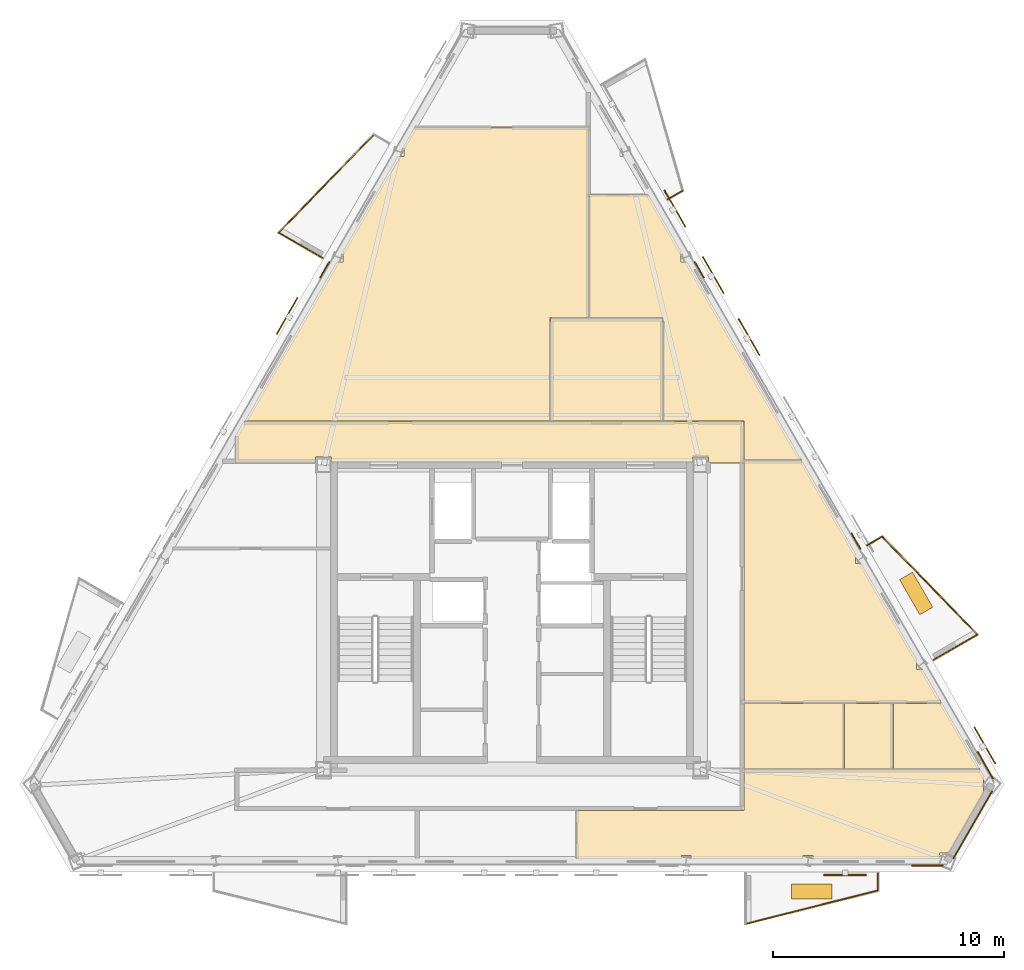
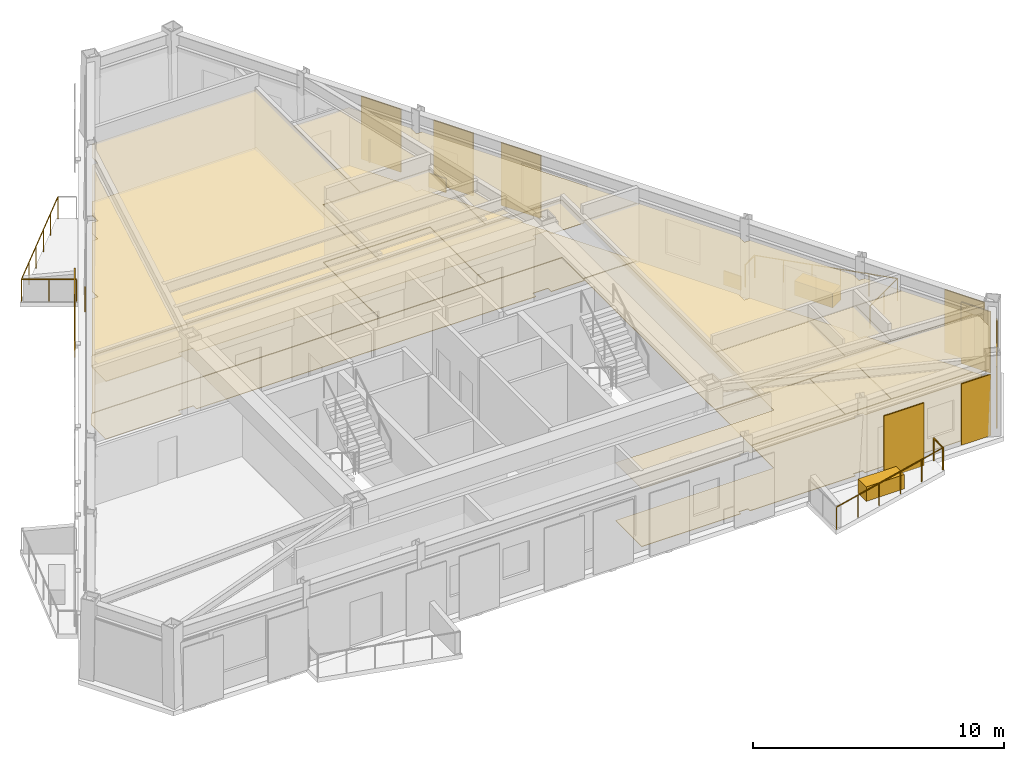
# One storey, part 8 of 9: 26 coverings, 8 railings, 6 shading devices.
"""IFC4 building model written with IfcOpenShell, lengths in metres."""

from ifc_helpers import new_model, si_unit, direction, frame, origin, origin_2d, place, context, subcontext, project, spatial, polyline, rectangle, circle, outline, extrude, material, layer, layer_set, type_object, element, save


model = new_model("IFC4")

# Units and contexts
model_context = context("Model", 3, precision=1e-05, world=origin(), true_north=direction((0.0, 1.0)))
body_context = subcontext(model_context, "Body", "Model", "MODEL_VIEW")
ifc_project = project(units=[si_unit("LENGTHUNIT", "METRE"), si_unit("AREAUNIT", "SQUARE_METRE"), si_unit("VOLUMEUNIT", "CUBIC_METRE"), si_unit("PLANEANGLEUNIT", "RADIAN"), si_unit("MASSUNIT", "GRAM", prefix="KILO")], contexts=[model_context])

# Site, building, storey
site_placement = place(None, origin())
site = spatial("IfcSite", under=ifc_project, at=site_placement, CompositionType="ELEMENT")
building_placement = place(site_placement, origin())
building = spatial("IfcBuilding", under=site, at=building_placement, Name="Oramaril Tower", CompositionType="ELEMENT")
storey_placement = place(building_placement, frame((0.0, 0.0, 301.199951171875)))
storey = spatial("IfcBuildingStorey", under=building, at=storey_placement, Name="L79", CompositionType="ELEMENT", Elevation=301.199951171875)

# Coverings
ifc_material_1 = material(Name="Mineral Fibre Acoustic Ceiling")
ifc_layer_1 = layer(ifc_material_1, 0.02001953125)
ifc_layer_set_1 = layer_set([ifc_layer_1], Name="CVT-CEIL")
covering_type_1 = type_object("IfcCoveringType", Name="CVT-CEIL", PredefinedType="CEILING", material=ifc_layer_set_1)
covering_1_placement = place(storey_placement, frame((0.0, 0.0, 2.81201171875)))
element("IfcCovering", 1, at=covering_1_placement, inside=storey, type_object=covering_type_1, Name="L79 Acoustic Suspended Ceiling 2", PredefinedType="CEILING", context=body_context, shape_type="SweptSolid", body=[
    extrude(outline(polyline([(45.9951171875, 24.239990234375), (45.9951171875, 24.4951171875), (45.304931640625, 24.4951171875), (45.304931640625, 24.25), (29.695068359375, 24.25), (29.695068359375, 24.4951171875), (29.0048828125, 24.4951171875), (29.0048828125, 24.239990234375), (25.52001953125, 24.239990234375), (25.52001953125, 25.41455078125), (25.886962890625, 26.050048828125), (47.530029296875, 26.050048828125), (47.530029296875, 24.239990234375), (45.9951171875, 24.239990234375)])), origin(), (0.0, 0.0, 1.0), 0.02001953125),
])
covering_2_placement = place(storey_placement, frame((0.0, 0.0, 2.81201171875)))
element("IfcCovering", 2, at=covering_2_placement, inside=storey, type_object=covering_type_1, Name="L79 Acoustic Suspended Ceiling 4", PredefinedType="CEILING", context=body_context, shape_type="SweptSolid", body=[
    extrude(outline(polyline([(44.0419921875, 30.511962890625), (44.0419921875, 26.070068359375), (39.157958984375, 26.070068359375), (39.157958984375, 30.511962890625), (44.0419921875, 30.511962890625)])), origin(), (0.0, 0.0, 1.0), 0.02001953125),
])
covering_3_placement = place(storey_placement, frame((0.0, 0.0, 2.81201171875)))
element("IfcCovering", 3, at=covering_3_placement, inside=storey, type_object=covering_type_1, Name="L79 Acoustic Suspended Ceiling 5", PredefinedType="CEILING", context=body_context, shape_type="SweptSolid", body=[
    extrude(outline(polyline([(57.762939453125, 10.991943359375), (57.951904296875, 10.664794921875), (57.903564453125, 10.664794921875), (57.903564453125, 9.978271484375), (57.9248046875, 9.978271484375), (56.421142578125, 7.373779296875), (56.0087890625, 7.373779296875), (56.0087890625, 7.105712890625), (50.524658203125, 7.105712890625), (50.524658203125, 7.26025390625), (50.09716796875, 7.26025390625), (50.09716796875, 7.105712890625), (45.24658203125, 7.105712890625), (45.24658203125, 7.26025390625), (44.824951171875, 7.26025390625), (44.824951171875, 7.105712890625), (40.270751953125, 7.105712890625), (40.270751953125, 9.199951171875), (47.530029296875, 9.199951171875), (47.531982421875, 9.2001953125), (47.533935546875, 9.200439453125), (47.535888671875, 9.200927734375), (47.53759765625, 9.201416015625), (47.539306640625, 9.202392578125), (47.541015625, 9.203369140625), (47.542724609375, 9.20458984375), (47.544189453125, 9.205810546875), (47.54541015625, 9.207275390625), (47.546630859375, 9.208984375), (47.547607421875, 9.210693359375), (47.548583984375, 9.21240234375), (47.549072265625, 9.214111328125), (47.549560546875, 9.216064453125), (47.5498046875, 9.218017578125), (47.550048828125, 9.219970703125), (47.550048828125, 10.991943359375), (57.762939453125, 10.991943359375)])), origin(), (0.0, 0.0, 1.0), 0.02001953125),
])
covering_4_placement = place(storey_placement, frame((0.0, 0.0, 2.81201171875)))
element("IfcCovering", 4, at=covering_4_placement, inside=storey, type_object=covering_type_1, Name="L79 Acoustic Suspended Ceiling 9", PredefinedType="CEILING", context=body_context, shape_type="SweptSolid", body=[
    extrude(outline(polyline([(52.362060546875, 20.335205078125), (52.362060546875, 19.88671875), (52.627685546875, 19.88671875), (55.004638671875, 15.769287109375), (55.0009765625, 15.769287109375), (55.0009765625, 15.31591796875), (55.2666015625, 15.31591796875), (56.1083984375, 13.85791015625), (47.550048828125, 13.85791015625), (47.550048828125, 24.219970703125), (47.5498046875, 24.221923828125), (47.549560546875, 24.223876953125), (47.549072265625, 24.225830078125), (47.548583984375, 24.227783203125), (47.547607421875, 24.2294921875), (47.54736328125, 24.22998046875), (47.547607421875, 24.230712890625), (47.548583984375, 24.232421875), (47.549072265625, 24.234130859375), (47.549560546875, 24.236083984375), (47.5498046875, 24.238037109375), (47.550048828125, 24.239990234375), (47.550048828125, 24.362060546875), (50.043701171875, 24.362060546875), (52.36865234375, 20.335205078125), (52.362060546875, 20.335205078125)])), origin(), (0.0, 0.0, 1.0), 0.02001953125),
])
covering_5_placement = place(storey_placement, frame((0.0, 0.0, 2.81201171875)))
element("IfcCovering", 5, at=covering_5_placement, inside=storey, type_object=covering_type_1, Name="L79 Acoustic Suspended Ceiling 10", PredefinedType="CEILING", context=body_context, shape_type="SweptSolid", body=[
    extrude(outline(polyline([(51.87158203125, 11.011962890625), (47.550048828125, 11.011962890625), (47.550048828125, 11.030029296875), (47.5498046875, 11.031982421875), (47.549560546875, 11.033935546875), (47.549072265625, 11.035888671875), (47.548583984375, 11.03759765625), (47.547607421875, 11.039306640625), (47.54736328125, 11.0400390625), (47.547607421875, 11.04052734375), (47.548583984375, 11.042236328125), (47.549072265625, 11.044189453125), (47.549560546875, 11.046142578125), (47.5498046875, 11.048095703125), (47.550048828125, 11.050048828125), (47.550048828125, 13.837890625), (51.87158203125, 13.837890625), (51.87158203125, 11.011962890625)])), origin(), (0.0, 0.0, 1.0), 0.02001953125),
])
covering_6_placement = place(storey_placement, frame((0.0, 0.0, 2.81201171875)))
element("IfcCovering", 6, at=covering_6_placement, inside=storey, type_object=covering_type_1, Name="L79 Acoustic Suspended Ceiling 11", PredefinedType="CEILING", context=body_context, shape_type="SweptSolid", body=[
    extrude(outline(polyline([(53.9833984375, 11.011962890625), (51.8916015625, 11.011962890625), (51.8916015625, 13.837890625), (53.9833984375, 13.837890625), (53.9833984375, 11.011962890625)])), origin(), (0.0, 0.0, 1.0), 0.02001953125),
])
covering_7_placement = place(storey_placement, frame((0.0, 0.0, 2.81201171875)))
element("IfcCovering", 7, at=covering_7_placement, inside=storey, type_object=covering_type_1, Name="L79 Acoustic Suspended Ceiling 12", PredefinedType="CEILING", context=body_context, shape_type="SweptSolid", body=[
    extrude(outline(polyline([(57.75146484375, 11.011962890625), (54.00341796875, 11.011962890625), (54.00341796875, 13.837890625), (56.1083984375, 13.837890625), (56.1103515625, 13.838134765625), (56.1123046875, 13.83837890625), (56.1142578125, 13.8388671875), (56.115966796875, 13.839599609375), (56.117919921875, 13.84033203125), (56.118408203125, 13.8408203125), (57.75146484375, 11.011962890625)])), origin(), (0.0, 0.0, 1.0), 0.02001953125),
])
covering_8_placement = place(storey_placement, frame((0.0, 0.0, 2.81201171875)))
element("IfcCovering", 8, at=covering_8_placement, inside=storey, type_object=covering_type_1, Name="L79 Acoustic Suspended Ceiling 13", PredefinedType="CEILING", context=body_context, shape_type="SweptSolid", body=[
    extrude(outline(polyline([(29.91259765625, 32.94677734375), (30.17822265625, 32.94677734375), (30.17822265625, 33.380126953125), (30.162841796875, 33.380126953125), (32.551513671875, 37.517578125), (32.817138671875, 37.517578125), (32.817138671875, 37.94580078125), (32.798828125, 37.94580078125), (33.28173828125, 38.7822265625), (40.842041015625, 38.7822265625), (40.842041015625, 30.531982421875), (39.157958984375, 30.531982421875), (39.156005859375, 30.531982421875), (39.154052734375, 30.531494140625), (39.152099609375, 30.531005859375), (39.150390625, 30.530517578125), (39.148681640625, 30.529541015625), (39.14697265625, 30.528564453125), (39.145263671875, 30.527587890625), (39.143798828125, 30.526123046875), (39.142578125, 30.524658203125), (39.141357421875, 30.523193359375), (39.140380859375, 30.521484375), (39.139404296875, 30.519775390625), (39.138916015625, 30.517822265625), (39.138427734375, 30.515869140625), (39.13818359375, 30.513916015625), (39.137939453125, 30.511962890625), (39.137939453125, 26.070068359375), (25.9423828125, 26.070068359375), (29.91259765625, 32.94677734375)])), origin(), (0.0, 0.0, 1.0), 0.02001953125),
])
covering_9_placement = place(storey_placement, frame((0.0, 0.0, 2.81201171875)))
element("IfcCovering", 9, at=covering_9_placement, inside=storey, type_object=covering_type_1, Name="L79 Acoustic Suspended Ceiling 15", PredefinedType="CEILING", context=body_context, shape_type="SweptSolid", body=[
    extrude(outline(polyline([(43.40576171875, 35.859375), (44.837158203125, 33.380126953125), (44.82177734375, 33.380126953125), (44.82177734375, 32.94677734375), (45.08740234375, 32.94677734375), (50.0322265625, 24.382080078125), (47.550048828125, 24.382080078125), (47.550048828125, 26.050048828125), (47.5498046875, 26.052001953125), (47.549560546875, 26.053955078125), (47.549072265625, 26.055908203125), (47.548583984375, 26.0576171875), (47.547607421875, 26.059326171875), (47.546630859375, 26.06103515625), (47.54541015625, 26.062744140625), (47.544189453125, 26.064208984375), (47.542724609375, 26.0654296875), (47.541015625, 26.066650390625), (47.539306640625, 26.067626953125), (47.53759765625, 26.068603515625), (47.535888671875, 26.069091796875), (47.533935546875, 26.069580078125), (47.531982421875, 26.06982421875), (47.530029296875, 26.070068359375), (44.06201171875, 26.070068359375), (44.06201171875, 30.511962890625), (44.06201171875, 30.513916015625), (44.0615234375, 30.515869140625), (44.06103515625, 30.517822265625), (44.060546875, 30.519775390625), (44.0595703125, 30.521484375), (44.05859375, 30.523193359375), (44.0576171875, 30.524658203125), (44.05615234375, 30.526123046875), (44.0546875, 30.527587890625), (44.052978515625, 30.528564453125), (44.051513671875, 30.529541015625), (44.0498046875, 30.530517578125), (44.0478515625, 30.531005859375), (44.0458984375, 30.531494140625), (44.0439453125, 30.531982421875), (44.0419921875, 30.531982421875), (40.862060546875, 30.531982421875), (40.862060546875, 35.859375), (43.40576171875, 35.859375)])), origin(), (0.0, 0.0, 1.0), 0.02001953125),
])
ifc_material_2 = material(Name="Warm Cream Limestone", Category="masonry")
ifc_layer_2 = layer(ifc_material_2, 0.050048828125)
ifc_layer_set_2 = layer_set([ifc_layer_2], Name="CVT-CLD")
covering_type_2 = type_object("IfcCoveringType", Name="CVT-CLD", PredefinedType="CLADDING", material=ifc_layer_set_2)
covering_10_placement = place(storey_placement, frame((55.478759765625, 6.82958984375, 0.0400390625), z_axis=(0.0, 0.0, 1.0), x_axis=(1.0, 0.0, 0.0)))
element("IfcCovering", 10, at=covering_10_placement, inside=storey, type_object=covering_type_2, Name="L79 Warm Cream Limestone Cladding", PredefinedType="CLADDING", context=body_context, shape_type="SweptSolid", body=[
    extrude(rectangle(XDim=1.35009765625, YDim=0.050048828125, at=origin_2d()), origin(), (0.0, 0.0, 1.0), 2.97802734375),
])
covering_11_placement = place(storey_placement, frame((57.4404296875, 8.58740234375, 0.0400390625), z_axis=(0.0, 0.0, 1.0), x_axis=(0.4999984885, 0.866026276448, 0.0)))
element("IfcCovering", 11, at=covering_11_placement, inside=storey, type_object=covering_type_2, Name="L79 Warm Cream Limestone Cladding", PredefinedType="CLADDING", context=body_context, shape_type="SweptSolid", body=[
    extrude(rectangle(XDim=3.364990234375, YDim=0.050048828125, at=origin_2d()), origin(), (0.0, 0.0, 1.0), 2.97802734375),
])
covering_12_placement = place(storey_placement, frame((57.981689453125, 11.1650390625, 0.0400390625), z_axis=(0.0, 0.0, 1.0), x_axis=(-0.500001511499, 0.866024531118, 0.0)))
element("IfcCovering", 12, at=covering_12_placement, inside=storey, type_object=covering_type_2, Name="L79 Warm Cream Limestone Cladding", PredefinedType="CLADDING", context=body_context, shape_type="SweptSolid", body=[
    extrude(rectangle(XDim=1.35009765625, YDim=0.050048828125, at=origin_2d()), origin(), (0.0, 0.0, 1.0), 2.97802734375),
])
for number, where, z_axis, x_axis, name in (
    (13, (52.381591796875, 20.864990234375, 0.0400390625), (0.0, 0.0, 1.0), (-0.500001511499, 0.866024531118, 0.0), "L79 Warm Cream Limestone Spandrel Cladding"),
    (14, (45.60302734375, 32.60546875, 0.0400390625), (0.0, 0.0, 1.0), (-0.500001511499, 0.866024531118, 0.0), "L79 Warm Cream Limestone Spandrel Cladding"),
    (15, (29.39697265625, 32.60546875, 0.0400390625), (0.0, 0.0, 1.0), (-0.500001511499, -0.866024531118, 0.0), "L79 Warm Cream Limestone Spandrel Cladding"),
):
    element("IfcCovering", number, at=place(storey_placement, frame(where, z_axis=z_axis, x_axis=x_axis)), inside=storey, type_object=covering_type_2, Name=name, PredefinedType="CLADDING", context=body_context, shape_type="SweptSolid", body=[
        extrude(rectangle(XDim=0.800048828125, YDim=0.050048828125, at=origin_2d()), origin(), (0.0, 0.0, 1.0), 0.679931640625),
    ])
for number, where, z_axis, x_axis, name in (
    (16, (50.469482421875, 5.701171875, 0.0), (0.0, 0.0, 1.0), (1.0, 0.0, 0.0), "L79 Structural Tree Planter Box L79-BAL-S2"),
    (17, (54.991943359375, 18.6005859375, 0.0), (0.0, 0.0, 1.0), (-0.500001511499, 0.866024531118, 0.0), "L79 Structural Tree Planter Box L79-BAL-NE1"),
):
    element("IfcCovering", number, at=place(storey_placement, frame(where, z_axis=z_axis, x_axis=x_axis)), inside=storey, type_object=covering_type_2, Name=name, PredefinedType="CLADDING", context=body_context, shape_type="SweptSolid", body=[
        extrude(rectangle(XDim=1.75, YDim=0.64990234375, at=origin_2d()), origin(), (0.0, 0.0, 1.0), 0.699951171875),
    ])
ifc_material_3 = material(Name="Honed Quartzite Stone Flooring", Category="masonry")
ifc_layer_3 = layer(ifc_material_3, 0.02490234375)
ifc_layer_set_3 = layer_set([ifc_layer_3], Name="CVT-FLR")
covering_type_3 = type_object("IfcCoveringType", Name="CVT-FLR", PredefinedType="FLOORING", material=ifc_layer_set_3)
covering_13_placement = place(storey_placement, origin())
element("IfcCovering", 18, at=covering_13_placement, inside=storey, type_object=covering_type_3, Name="L79 Honed Stone Floor Finish 2", PredefinedType="FLOORING", context=body_context, shape_type="SweptSolid", body=[
    extrude(outline(polyline([(45.9951171875, 24.239990234375), (45.9951171875, 24.4951171875), (45.304931640625, 24.4951171875), (45.304931640625, 24.25), (29.695068359375, 24.25), (29.695068359375, 24.4951171875), (29.0048828125, 24.4951171875), (29.0048828125, 24.239990234375), (25.52001953125, 24.239990234375), (25.52001953125, 25.41455078125), (25.886962890625, 26.050048828125), (47.530029296875, 26.050048828125), (47.530029296875, 24.239990234375), (45.9951171875, 24.239990234375)])), origin(), (0.0, 0.0, 1.0), 0.025146484375),
])
covering_14_placement = place(storey_placement, origin())
element("IfcCovering", 19, at=covering_14_placement, inside=storey, type_object=covering_type_3, Name="L79 Honed Stone Floor Finish 4", PredefinedType="FLOORING", context=body_context, shape_type="SweptSolid", body=[
    extrude(outline(polyline([(44.0419921875, 30.511962890625), (44.0419921875, 26.070068359375), (39.157958984375, 26.070068359375), (39.157958984375, 30.511962890625), (44.0419921875, 30.511962890625)])), origin(), (0.0, 0.0, 1.0), 0.025146484375),
])
covering_15_placement = place(storey_placement, origin())
element("IfcCovering", 20, at=covering_15_placement, inside=storey, type_object=covering_type_3, Name="L79 Honed Stone Floor Finish 5", PredefinedType="FLOORING", context=body_context, shape_type="SweptSolid", body=[
    extrude(outline(polyline([(57.762939453125, 10.991943359375), (57.951904296875, 10.664794921875), (57.903564453125, 10.664794921875), (57.903564453125, 9.978271484375), (57.9248046875, 9.978271484375), (56.421142578125, 7.373779296875), (56.0087890625, 7.373779296875), (56.0087890625, 7.105712890625), (50.524658203125, 7.105712890625), (50.524658203125, 7.26025390625), (50.09716796875, 7.26025390625), (50.09716796875, 7.105712890625), (45.24658203125, 7.105712890625), (45.24658203125, 7.26025390625), (44.824951171875, 7.26025390625), (44.824951171875, 7.105712890625), (40.270751953125, 7.105712890625), (40.270751953125, 9.199951171875), (47.530029296875, 9.199951171875), (47.531982421875, 9.2001953125), (47.533935546875, 9.200439453125), (47.535888671875, 9.200927734375), (47.53759765625, 9.201416015625), (47.539306640625, 9.202392578125), (47.541015625, 9.203369140625), (47.542724609375, 9.20458984375), (47.544189453125, 9.205810546875), (47.54541015625, 9.207275390625), (47.546630859375, 9.208984375), (47.547607421875, 9.210693359375), (47.548583984375, 9.21240234375), (47.549072265625, 9.214111328125), (47.549560546875, 9.216064453125), (47.5498046875, 9.218017578125), (47.550048828125, 9.219970703125), (47.550048828125, 10.991943359375), (57.762939453125, 10.991943359375)])), origin(), (0.0, 0.0, 1.0), 0.025146484375),
])
covering_16_placement = place(storey_placement, origin())
element("IfcCovering", 21, at=covering_16_placement, inside=storey, type_object=covering_type_3, Name="L79 Honed Stone Floor Finish 9", PredefinedType="FLOORING", context=body_context, shape_type="SweptSolid", body=[
    extrude(outline(polyline([(52.362060546875, 20.335205078125), (52.362060546875, 19.88671875), (52.627685546875, 19.88671875), (55.004638671875, 15.769287109375), (55.0009765625, 15.769287109375), (55.0009765625, 15.31591796875), (55.2666015625, 15.31591796875), (56.1083984375, 13.85791015625), (47.550048828125, 13.85791015625), (47.550048828125, 24.219970703125), (47.5498046875, 24.221923828125), (47.549560546875, 24.223876953125), (47.549072265625, 24.225830078125), (47.548583984375, 24.227783203125), (47.547607421875, 24.2294921875), (47.54736328125, 24.22998046875), (47.547607421875, 24.230712890625), (47.548583984375, 24.232421875), (47.549072265625, 24.234130859375), (47.549560546875, 24.236083984375), (47.5498046875, 24.238037109375), (47.550048828125, 24.239990234375), (47.550048828125, 24.362060546875), (50.043701171875, 24.362060546875), (52.36865234375, 20.335205078125), (52.362060546875, 20.335205078125)])), origin(), (0.0, 0.0, 1.0), 0.025146484375),
])
covering_17_placement = place(storey_placement, origin())
element("IfcCovering", 22, at=covering_17_placement, inside=storey, type_object=covering_type_3, Name="L79 Honed Stone Floor Finish 10", PredefinedType="FLOORING", context=body_context, shape_type="SweptSolid", body=[
    extrude(outline(polyline([(51.87158203125, 11.011962890625), (47.550048828125, 11.011962890625), (47.550048828125, 11.030029296875), (47.5498046875, 11.031982421875), (47.549560546875, 11.033935546875), (47.549072265625, 11.035888671875), (47.548583984375, 11.03759765625), (47.547607421875, 11.039306640625), (47.54736328125, 11.0400390625), (47.547607421875, 11.04052734375), (47.548583984375, 11.042236328125), (47.549072265625, 11.044189453125), (47.549560546875, 11.046142578125), (47.5498046875, 11.048095703125), (47.550048828125, 11.050048828125), (47.550048828125, 13.837890625), (51.87158203125, 13.837890625), (51.87158203125, 11.011962890625)])), origin(), (0.0, 0.0, 1.0), 0.025146484375),
])
covering_18_placement = place(storey_placement, origin())
element("IfcCovering", 23, at=covering_18_placement, inside=storey, type_object=covering_type_3, Name="L79 Honed Stone Floor Finish 11", PredefinedType="FLOORING", context=body_context, shape_type="SweptSolid", body=[
    extrude(outline(polyline([(53.9833984375, 11.011962890625), (51.8916015625, 11.011962890625), (51.8916015625, 13.837890625), (53.9833984375, 13.837890625), (53.9833984375, 11.011962890625)])), origin(), (0.0, 0.0, 1.0), 0.025146484375),
])
covering_19_placement = place(storey_placement, origin())
element("IfcCovering", 24, at=covering_19_placement, inside=storey, type_object=covering_type_3, Name="L79 Honed Stone Floor Finish 12", PredefinedType="FLOORING", context=body_context, shape_type="SweptSolid", body=[
    extrude(outline(polyline([(57.75146484375, 11.011962890625), (54.00341796875, 11.011962890625), (54.00341796875, 13.837890625), (56.1083984375, 13.837890625), (56.1103515625, 13.838134765625), (56.1123046875, 13.83837890625), (56.1142578125, 13.8388671875), (56.115966796875, 13.839599609375), (56.117919921875, 13.84033203125), (56.118408203125, 13.8408203125), (57.75146484375, 11.011962890625)])), origin(), (0.0, 0.0, 1.0), 0.025146484375),
])
covering_20_placement = place(storey_placement, origin())
element("IfcCovering", 25, at=covering_20_placement, inside=storey, type_object=covering_type_3, Name="L79 Honed Stone Floor Finish 13", PredefinedType="FLOORING", context=body_context, shape_type="SweptSolid", body=[
    extrude(outline(polyline([(29.91259765625, 32.94677734375), (30.17822265625, 32.94677734375), (30.17822265625, 33.380126953125), (30.162841796875, 33.380126953125), (32.551513671875, 37.517578125), (32.817138671875, 37.517578125), (32.817138671875, 37.94580078125), (32.798828125, 37.94580078125), (33.28173828125, 38.7822265625), (40.842041015625, 38.7822265625), (40.842041015625, 30.531982421875), (39.157958984375, 30.531982421875), (39.156005859375, 30.531982421875), (39.154052734375, 30.531494140625), (39.152099609375, 30.531005859375), (39.150390625, 30.530517578125), (39.148681640625, 30.529541015625), (39.14697265625, 30.528564453125), (39.145263671875, 30.527587890625), (39.143798828125, 30.526123046875), (39.142578125, 30.524658203125), (39.141357421875, 30.523193359375), (39.140380859375, 30.521484375), (39.139404296875, 30.519775390625), (39.138916015625, 30.517822265625), (39.138427734375, 30.515869140625), (39.13818359375, 30.513916015625), (39.137939453125, 30.511962890625), (39.137939453125, 26.070068359375), (25.9423828125, 26.070068359375), (29.91259765625, 32.94677734375)])), origin(), (0.0, 0.0, 1.0), 0.025146484375),
])
covering_21_placement = place(storey_placement, origin())
element("IfcCovering", 26, at=covering_21_placement, inside=storey, type_object=covering_type_3, Name="L79 Honed Stone Floor Finish 15", PredefinedType="FLOORING", context=body_context, shape_type="SweptSolid", body=[
    extrude(outline(polyline([(43.40576171875, 35.859375), (44.837158203125, 33.380126953125), (44.82177734375, 33.380126953125), (44.82177734375, 32.94677734375), (45.08740234375, 32.94677734375), (50.0322265625, 24.382080078125), (47.550048828125, 24.382080078125), (47.550048828125, 26.050048828125), (47.5498046875, 26.052001953125), (47.549560546875, 26.053955078125), (47.549072265625, 26.055908203125), (47.548583984375, 26.0576171875), (47.547607421875, 26.059326171875), (47.546630859375, 26.06103515625), (47.54541015625, 26.062744140625), (47.544189453125, 26.064208984375), (47.542724609375, 26.0654296875), (47.541015625, 26.066650390625), (47.539306640625, 26.067626953125), (47.53759765625, 26.068603515625), (47.535888671875, 26.069091796875), (47.533935546875, 26.069580078125), (47.531982421875, 26.06982421875), (47.530029296875, 26.070068359375), (44.06201171875, 26.070068359375), (44.06201171875, 30.511962890625), (44.06201171875, 30.513916015625), (44.0615234375, 30.515869140625), (44.06103515625, 30.517822265625), (44.060546875, 30.519775390625), (44.0595703125, 30.521484375), (44.05859375, 30.523193359375), (44.0576171875, 30.524658203125), (44.05615234375, 30.526123046875), (44.0546875, 30.527587890625), (44.052978515625, 30.528564453125), (44.051513671875, 30.529541015625), (44.0498046875, 30.530517578125), (44.0478515625, 30.531005859375), (44.0458984375, 30.531494140625), (44.0439453125, 30.531982421875), (44.0419921875, 30.531982421875), (40.862060546875, 30.531982421875), (40.862060546875, 35.859375), (43.40576171875, 35.859375)])), origin(), (0.0, 0.0, 1.0), 0.025146484375),
])

# Railings
ifc_material_4 = material(Name="Stainless Steel 316L", Category="steel")
railing_type = type_object("IfcRailingType", Name="RLT-GRD", PredefinedType="GUARDRAIL", material=ifc_material_4)
railing_1_placement = place(storey_placement, frame((53.33447265625, 6.48974609375, 0.0)))
element("IfcRailing", 27, at=railing_1_placement, inside=storey, type_object=railing_type, Name="L79 Balcony Guardrail L79-BAL-S2.1", PredefinedType="GUARDRAIL", context=body_context, shape_type="SweptSolid", body=[
    extrude(circle(Radius=0.02392578125, at=origin_2d()), frame((0.0, 0.0, 1.076171875), z_axis=(0.0, -1.0, 0.0), x_axis=(1.0, 0.0, 0.0)), (0.0, 0.0, 1.0), 0.741943359375),
    extrude(circle(Radius=0.02099609375, at=origin_2d()), origin(), (0.0, 0.0, 1.0), 1.052001953125),
    extrude(circle(Radius=0.02099609375, at=origin_2d()), frame((0.0, -0.741943359375, 0.0)), (0.0, 0.0, 1.0), 1.052001953125),
])
railing_2_placement = place(storey_placement, frame((53.33447265625, 5.747802734375, 0.0)))
element("IfcRailing", 28, at=railing_2_placement, inside=storey, type_object=railing_type, Name="L79 Balcony Guardrail L79-BAL-S2.2", PredefinedType="GUARDRAIL", context=body_context, shape_type="SweptSolid", body=[
    extrude(circle(Radius=0.02392578125, at=origin_2d()), frame((0.0, 0.0, 1.076171875), z_axis=(-0.969433787338, -0.245353076131, 0.0), x_axis=(0.245353076131, -0.969433787338, 0.0)), (0.0, 0.0, 1.0), 5.91064453125),
    extrude(circle(Radius=0.02099609375, at=origin_2d()), origin(), (0.0, 0.0, 1.0), 1.052001953125),
    extrude(circle(Radius=0.02099609375, at=origin_2d()), frame((-1.14599609375, -0.2900390625, 0.0)), (0.0, 0.0, 1.0), 1.052001953125),
    extrude(circle(Radius=0.02099609375, at=origin_2d()), frame((-2.2919921875, -0.580078125, 0.0)), (0.0, 0.0, 1.0), 1.052001953125),
    extrude(circle(Radius=0.02099609375, at=origin_2d()), frame((-3.43798828125, -0.8701171875, 0.0)), (0.0, 0.0, 1.0), 1.052001953125),
    extrude(circle(Radius=0.02099609375, at=origin_2d()), frame((-4.583984375, -1.16015625, 0.0)), (0.0, 0.0, 1.0), 1.052001953125),
    extrude(circle(Radius=0.02099609375, at=origin_2d()), frame((-5.72998046875, -1.4501953125, 0.0)), (0.0, 0.0, 1.0), 1.052001953125),
])
railing_3_placement = place(storey_placement, frame((52.876708984375, 20.6875, 0.0)))
element("IfcRailing", 29, at=railing_3_placement, inside=storey, type_object=railing_type, Name="L79 Balcony Guardrail L79-BAL-NE1.1", PredefinedType="GUARDRAIL", context=body_context, shape_type="SweptSolid", body=[
    extrude(circle(Radius=0.02392578125, at=origin_2d()), frame((0.0, 0.0, 1.076171875), z_axis=(0.865884080729, 0.500244698863, 0.0), x_axis=(-0.500244698863, 0.865884080729, 0.0)), (0.0, 0.0, 1.0), 0.741943359375),
    extrude(circle(Radius=0.02099609375, at=origin_2d()), origin(), (0.0, 0.0, 1.0), 1.052001953125),
    extrude(circle(Radius=0.02099609375, at=origin_2d()), frame((0.642333984375, 0.37109375, 0.0)), (0.0, 0.0, 1.0), 1.052001953125),
])
railing_4_placement = place(storey_placement, frame((53.51904296875, 21.05859375, 0.0)))
element("IfcRailing", 30, at=railing_4_placement, inside=storey, type_object=railing_type, Name="L79 Balcony Guardrail L79-BAL-NE1.2", PredefinedType="GUARDRAIL", context=body_context, shape_type="SweptSolid", body=[
    extrude(circle(Radius=0.02392578125, at=origin_2d()), frame((0.0, 0.0, 1.076171875), z_axis=(0.697186915353, -0.716889395277, 0.0), x_axis=(0.716889395277, 0.697186915353, 0.0)), (0.0, 0.0, 1.0), 5.91064453125),
    extrude(circle(Radius=0.02099609375, at=origin_2d()), origin(), (0.0, 0.0, 1.0), 1.052001953125),
    extrude(circle(Radius=0.02099609375, at=origin_2d()), frame((0.82421875, -0.847412109375, 0.0)), (0.0, 0.0, 1.0), 1.052001953125),
    extrude(circle(Radius=0.02099609375, at=origin_2d()), frame((1.6484375, -1.69482421875, 0.0)), (0.0, 0.0, 1.0), 1.052001953125),
    extrude(circle(Radius=0.02099609375, at=origin_2d()), frame((2.472412109375, -2.54248046875, 0.0)), (0.0, 0.0, 1.0), 1.052001953125),
    extrude(circle(Radius=0.02099609375, at=origin_2d()), frame((3.296630859375, -3.389892578125, 0.0)), (0.0, 0.0, 1.0), 1.052001953125),
    extrude(circle(Radius=0.02099609375, at=origin_2d()), frame((4.120849609375, -4.2373046875, 0.0)), (0.0, 0.0, 1.0), 1.052001953125),
])
railing_5_placement = place(storey_placement, frame((57.639892578125, 16.8212890625, 0.0)))
element("IfcRailing", 31, at=railing_5_placement, inside=storey, type_object=railing_type, Name="L79 Balcony Guardrail L79-BAL-NE1.3", PredefinedType="GUARDRAIL", context=body_context, shape_type="SweptSolid", body=[
    extrude(circle(Radius=0.02392578125, at=origin_2d()), frame((0.0, 0.0, 1.076171875), z_axis=(-0.866020500697, -0.5000084923, 0.0), x_axis=(0.5000084923, -0.866020500697, 0.0)), (0.0, 0.0, 1.0), 2.19189453125),
    extrude(circle(Radius=0.02099609375, at=origin_2d()), origin(), (0.0, 0.0, 1.0), 1.052001953125),
    extrude(circle(Radius=0.02099609375, at=origin_2d()), frame((-0.94921875, -0.5478515625, 0.0)), (0.0, 0.0, 1.0), 1.052001953125),
    extrude(circle(Radius=0.02099609375, at=origin_2d()), frame((-1.898193359375, -1.095947265625, 0.0)), (0.0, 0.0, 1.0), 1.052001953125),
])
railing_6_placement = place(storey_placement, frame((44.877197265625, 36.02685546875, 0.0)))
element("IfcRailing", 32, at=railing_6_placement, inside=storey, type_object=railing_type, Name="L79 Balcony Guardrail L79-BAL-NE2.3", PredefinedType="GUARDRAIL", context=body_context, shape_type="SweptSolid", body=[
    extrude(circle(Radius=0.02392578125, at=origin_2d()), frame((0.0, 0.0, 1.076171875), z_axis=(-0.866108878364, -0.499855389907, 0.0), x_axis=(0.499855389907, -0.866108878364, 0.0)), (0.0, 0.0, 1.0), 0.741943359375),
    extrude(circle(Radius=0.02099609375, at=origin_2d()), origin(), (0.0, 0.0, 1.0), 1.052001953125),
    extrude(circle(Radius=0.02099609375, at=origin_2d()), frame((-0.642578125, -0.370849609375, 0.0)), (0.0, 0.0, 1.0), 1.052001953125),
])
railing_7_placement = place(storey_placement, frame((29.302978515625, 33.122802734375, 0.0)))
element("IfcRailing", 33, at=railing_7_placement, inside=storey, type_object=railing_type, Name="L79 Balcony Guardrail L79-BAL-NW1.1", PredefinedType="GUARDRAIL", context=body_context, shape_type="SweptSolid", body=[
    extrude(circle(Radius=0.02392578125, at=origin_2d()), frame((0.0, 0.0, 1.076171875), z_axis=(-0.866048343933, 0.499960264392, 0.0), x_axis=(-0.499960264392, -0.866048343933, 0.0)), (0.0, 0.0, 1.0), 2.192138671875),
    extrude(circle(Radius=0.02099609375, at=origin_2d()), origin(), (0.0, 0.0, 1.0), 1.052001953125),
    extrude(circle(Radius=0.02099609375, at=origin_2d()), frame((-0.94921875, 0.5478515625, 0.0)), (0.0, 0.0, 1.0), 1.052001953125),
    extrude(circle(Radius=0.02099609375, at=origin_2d()), frame((-1.8984375, 1.095947265625, 0.0)), (0.0, 0.0, 1.0), 1.052001953125),
])
railing_8_placement = place(storey_placement, frame((27.404541015625, 34.21875, 0.0)))
element("IfcRailing", 34, at=railing_8_placement, inside=storey, type_object=railing_type, Name="L79 Balcony Guardrail L79-BAL-NW1.2", PredefinedType="GUARDRAIL", context=body_context, shape_type="SweptSolid", body=[
    extrude(circle(Radius=0.02392578125, at=origin_2d()), frame((0.0, 0.0, 1.076171875), z_axis=(0.697186915353, 0.716889395277, 0.0), x_axis=(-0.716889395277, 0.697186915353, 0.0)), (0.0, 0.0, 1.0), 5.91064453125),
    extrude(circle(Radius=0.02099609375, at=origin_2d()), origin(), (0.0, 0.0, 1.0), 1.052001953125),
    extrude(circle(Radius=0.02099609375, at=origin_2d()), frame((0.82421875, 0.847412109375, 0.0)), (0.0, 0.0, 1.0), 1.052001953125),
    extrude(circle(Radius=0.02099609375, at=origin_2d()), frame((1.6484375, 1.69482421875, 0.0)), (0.0, 0.0, 1.0), 1.052001953125),
    extrude(circle(Radius=0.02099609375, at=origin_2d()), frame((2.472412109375, 2.54248046875, 0.0)), (0.0, 0.0, 1.0), 1.052001953125),
    extrude(circle(Radius=0.02099609375, at=origin_2d()), frame((3.296630859375, 3.389892578125, 0.0)), (0.0, 0.0, 1.0), 1.052001953125),
    extrude(circle(Radius=0.02099609375, at=origin_2d()), frame((4.120849609375, 4.2373046875, 0.0)), (0.0, 0.0, 1.0), 1.052001953125),
])

# Shading devices
for number, where, z_axis, x_axis, name in (
    (35, (51.9169921875, 6.417724609375, -0.02001953125), (0.0, 0.0, 1.0), (1.0, 0.0, 0.0), "L79 Perforated Ceramic Solar Screen"),
    (36, (57.962158203125, 12.02294921875, -0.02001953125), (0.0, 0.0, 1.0), (-0.500001511499, 0.866024531118, 0.0), "L79 Perforated Ceramic Solar Screen"),
    (37, (47.759033203125, 29.695068359375, -0.02001953125), (0.0, 0.0, 1.0), (-0.500001511499, 0.866024531118, 0.0), "L79 Perforated Ceramic Solar Screen"),
    (38, (46.206787109375, 32.3837890625, -0.02001953125), (0.0, 0.0, 1.0), (-0.500001511499, 0.866024531118, 0.0), "L79 Perforated Ceramic Solar Screen"),
    (39, (44.54833984375, 35.256103515625, -0.02001953125), (0.0, 0.0, 1.0), (-0.500001511499, 0.866024531118, 0.0), "L79 Perforated Ceramic Solar Screen"),
    (40, (27.767578125, 30.607421875, -0.02001953125), (0.0, 0.0, 1.0), (-0.500001511499, -0.866024531118, 0.0), "L79 Perforated Ceramic Solar Screen"),
):
    element("IfcShadingDevice", number, at=place(storey_placement, frame(where, z_axis=z_axis, x_axis=x_axis)), inside=storey, Name=name, ObjectType="SCREEN", PredefinedType="USERDEFINED", context=body_context, shape_type="SweptSolid", body=[
        extrude(rectangle(XDim=1.8330078125, YDim=0.050048828125, at=origin_2d()), origin(), (0.0, 0.0, 1.0), 3.05810546875),
    ])

save(model, "model.ifc")
